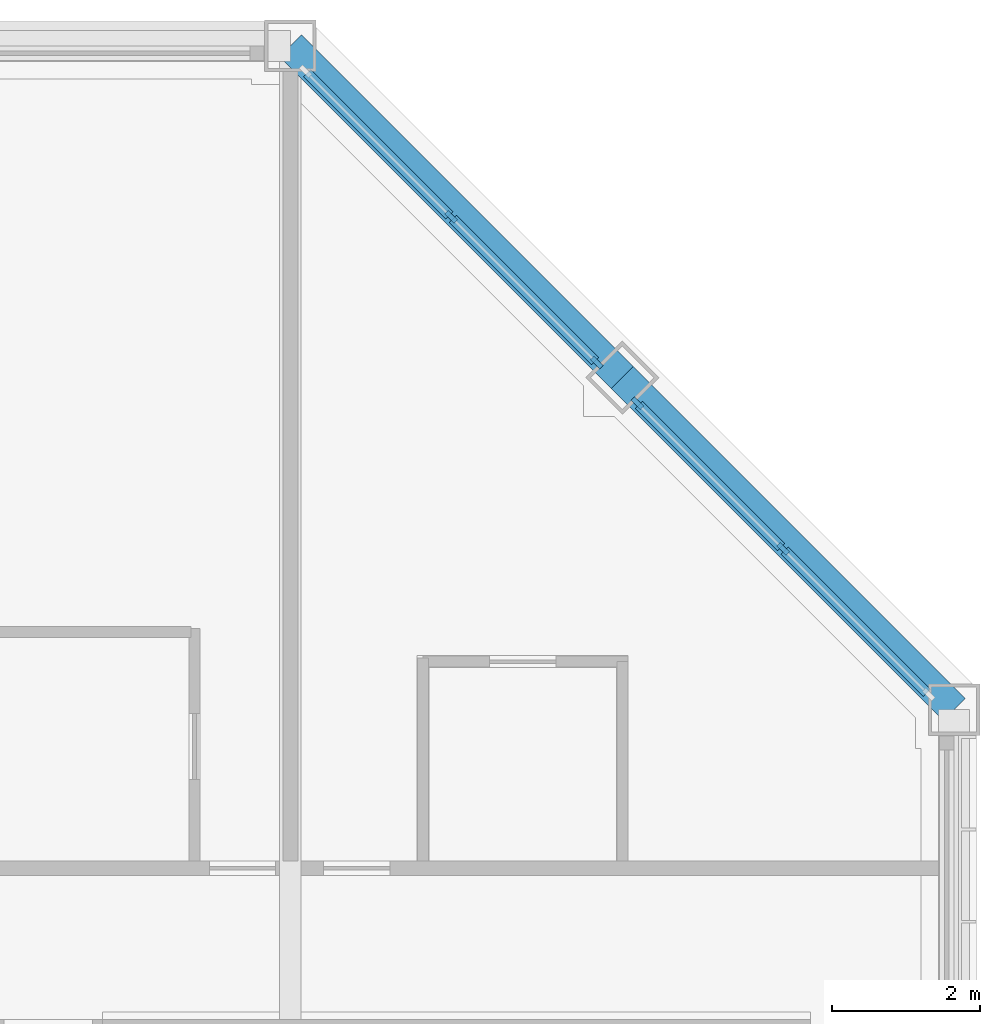
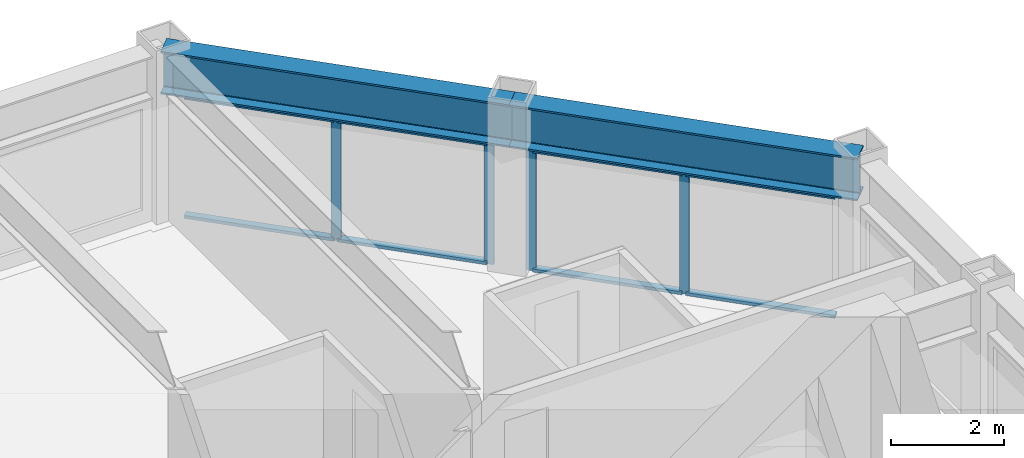
# One storey, part 7 of 16: 12 members, 2 beams, 2 elements without a shape of their own.
"""IFC4 building model written with IfcOpenShell, lengths in metres."""

from ifc_helpers import new_model, si_unit, direction, frame, origin, origin_2d, place, context, subcontext, project, spatial, rectangle, i_section, extrude, material, material_profile, profile_set, type_object, element, aggregate, save


model = new_model("IFC4")

# Units and contexts
model_context = context("Model", 3, precision=1e-05, world=origin(), true_north=direction((0.0, 1.0)))
body_context = subcontext(model_context, "Body", "Model", "MODEL_VIEW")
ifc_project = project(units=[si_unit("LENGTHUNIT", "METRE"), si_unit("AREAUNIT", "SQUARE_METRE"), si_unit("VOLUMEUNIT", "CUBIC_METRE"), si_unit("PLANEANGLEUNIT", "RADIAN"), si_unit("MASSUNIT", "GRAM", prefix="KILO")], contexts=[model_context])

# Site, building, storey
site_placement = place(None, origin())
site = spatial("IfcSite", under=ifc_project, at=site_placement, CompositionType="ELEMENT")
building_placement = place(site_placement, origin())
building = spatial("IfcBuilding", under=site, at=building_placement, Name="Msasa Ring Tower", CompositionType="ELEMENT")
storey_placement = place(building_placement, frame((0.0, 0.0, 219.550048828125)))
storey = spatial("IfcBuildingStorey", under=building, at=storey_placement, Name="L57", CompositionType="ELEMENT", Elevation=219.550048828125)

# Curtain wall, members
ifc_material_1 = material(Name="Aluminium curtain wall with clear glass", Category="aluminium")
curtain_wall_type = type_object("IfcCurtainWallType", Name="CW-C CHAMFER CORNER CURTAIN WALL", PredefinedType="NOTDEFINED", material=ifc_material_1)
curtain_wall_1_placement = place(storey_placement, origin())
curtain_wall_1 = element("IfcCurtainWall", 1, at=curtain_wall_1_placement, inside=storey, type_object=curtain_wall_type, Name="Chamfer corner curtain wall NE L57", PredefinedType="NOTDEFINED")
ifc_material_2 = material(Name="Aluminium mullion", Category="aluminium")
ifc_material_profile_1 = material_profile(ifc_material_2, rectangle(XDim=0.06494140625, YDim=0.179931640625, at=origin_2d()), Name="AL 65x180")
ifc_profile_set_1 = profile_set([ifc_material_profile_1], Name="Aluminium mullion")
member_type_1 = type_object("IfcMemberType", Name="CW-C MULLION 65x180", PredefinedType="MULLION", material=ifc_profile_set_1)
member_1_placement = place(storey_placement, frame((15.4052734375, 15.953369140625, 0.0), z_axis=(0.0, 0.0, 1.0), x_axis=(-0.707106781187, -0.707106781187, 0.0)))
member_1 = element("IfcMember", 2, at=member_1_placement, type_object=member_type_1, Name="CW-C mullion 1", PredefinedType="MULLION", context=body_context, shape_type="SweptSolid", body=[
    extrude(rectangle(XDim=0.06494140625, YDim=0.179931640625, at=origin_2d()), origin(), (0.0, 0.0, 1.0), 2.62890625),
])
member_2_placement = place(storey_placement, frame((13.42919921875, 17.92919921875, 0.0), z_axis=(0.0, 0.0, 1.0), x_axis=(-0.707106781187, -0.707106781187, 0.0)))
member_2 = element("IfcMember", 3, at=member_2_placement, type_object=member_type_1, Name="CW-C mullion 2", PredefinedType="MULLION", context=body_context, shape_type="SweptSolid", body=[
    extrude(rectangle(XDim=0.06494140625, YDim=0.179931640625, at=origin_2d()), origin(), (0.0, 0.0, 1.0), 2.62890625),
])

curtain_wall_2_placement = place(storey_placement, origin())
curtain_wall_2 = element("IfcCurtainWall", 4, at=curtain_wall_2_placement, inside=storey, type_object=curtain_wall_type, Name="Chamfer corner curtain wall NE L57", PredefinedType="NOTDEFINED")
member_3_placement = place(storey_placement, frame((17.92919921875, 13.42919921875, 0.0), z_axis=(0.0, 0.0, 1.0), x_axis=(-0.707106781187, -0.707106781187, 0.0)))
member_3 = element("IfcMember", 5, at=member_3_placement, type_object=member_type_1, Name="CW-C mullion 2", PredefinedType="MULLION", context=body_context, shape_type="SweptSolid", body=[
    extrude(rectangle(XDim=0.06494140625, YDim=0.179931640625, at=origin_2d()), origin(), (0.0, 0.0, 1.0), 2.62890625),
])
member_4_placement = place(storey_placement, frame((15.953369140625, 15.4052734375, 0.0), z_axis=(0.0, 0.0, 1.0), x_axis=(-0.707106781187, -0.707106781187, 0.0)))
member_4 = element("IfcMember", 6, at=member_4_placement, type_object=member_type_1, Name="CW-C mullion 3", PredefinedType="MULLION", context=body_context, shape_type="SweptSolid", body=[
    extrude(rectangle(XDim=0.06494140625, YDim=0.179931640625, at=origin_2d()), origin(), (0.0, 0.0, 1.0), 2.62890625),
])

# Member
ifc_material_3 = material(Name="Aluminium transom", Category="aluminium")
ifc_material_profile_2 = material_profile(ifc_material_3, rectangle(XDim=0.139892578125, YDim=0.06494140625, at=origin_2d()), Name="AL 65x140")
ifc_profile_set_2 = profile_set([ifc_material_profile_2], Name="Aluminium transom")
member_type_2 = type_object("IfcMemberType", Name="CW-C TRANSOM 65x140", PredefinedType="USERDEFINED", material=ifc_profile_set_2)
member_5_placement = place(storey_placement, frame((15.38232421875, 15.976318359375, 0.032470703125), z_axis=(-0.707106781187, 0.707106781187, 0.0), x_axis=(-0.707106781187, -0.707106781187, 0.0)))
member_5 = element("IfcMember", 7, at=member_5_placement, type_object=member_type_2, Name="CW-C transom 1.1", ObjectType="TRANSOM", PredefinedType="USERDEFINED", context=body_context, shape_type="SweptSolid", body=[
    extrude(rectangle(XDim=0.139892578125, YDim=0.06494140625, at=origin_2d()), origin(), (0.0, 0.0, 1.0), 2.729248046875),
])

member_6_placement = place(storey_placement, frame((15.38232421875, 15.976318359375, 2.596435546875), z_axis=(-0.707106781187, 0.707106781187, 0.0), x_axis=(-0.707106781187, -0.707106781187, 0.0)))
member_6 = element("IfcMember", 8, at=member_6_placement, type_object=member_type_2, Name="CW-C transom 1.2", ObjectType="TRANSOM", PredefinedType="USERDEFINED", context=body_context, shape_type="SweptSolid", body=[
    extrude(rectangle(XDim=0.139892578125, YDim=0.06494140625, at=origin_2d()), origin(), (0.0, 0.0, 1.0), 2.729248046875),
])

member_7_placement = place(storey_placement, frame((13.40625, 17.952392578125, 0.032470703125), z_axis=(-0.707106781187, 0.707106781187, 0.0), x_axis=(-0.707106781187, -0.707106781187, 0.0)))
member_7 = element("IfcMember", 9, at=member_7_placement, type_object=member_type_2, Name="CW-C transom 2.1", ObjectType="TRANSOM", PredefinedType="USERDEFINED", context=body_context, shape_type="SweptSolid", body=[
    extrude(rectangle(XDim=0.139892578125, YDim=0.06494140625, at=origin_2d()), origin(), (0.0, 0.0, 1.0), 2.729248046875),
])

member_8_placement = place(storey_placement, frame((13.40625, 17.952392578125, 2.596435546875), z_axis=(-0.707106781187, 0.707106781187, 0.0), x_axis=(-0.707106781187, -0.707106781187, 0.0)))
member_8 = element("IfcMember", 10, at=member_8_placement, type_object=member_type_2, Name="CW-C transom 2.2", ObjectType="TRANSOM", PredefinedType="USERDEFINED", context=body_context, shape_type="SweptSolid", body=[
    extrude(rectangle(XDim=0.139892578125, YDim=0.06494140625, at=origin_2d()), origin(), (0.0, 0.0, 1.0), 2.729248046875),
])

aggregate(curtain_wall_1, [member_1, member_2, member_5, member_6, member_7, member_8])

member_9_placement = place(storey_placement, frame((19.88232421875, 11.476318359375, 0.032470703125), z_axis=(-0.707106781187, 0.707106781187, 0.0), x_axis=(-0.707106781187, -0.707106781187, 0.0)))
member_9 = element("IfcMember", 11, at=member_9_placement, type_object=member_type_2, Name="CW-C transom 1.1", ObjectType="TRANSOM", PredefinedType="USERDEFINED", context=body_context, shape_type="SweptSolid", body=[
    extrude(rectangle(XDim=0.139892578125, YDim=0.06494140625, at=origin_2d()), origin(), (0.0, 0.0, 1.0), 2.729248046875),
])

member_10_placement = place(storey_placement, frame((19.88232421875, 11.476318359375, 2.596435546875), z_axis=(-0.707106781187, 0.707106781187, 0.0), x_axis=(-0.707106781187, -0.707106781187, 0.0)))
member_10 = element("IfcMember", 12, at=member_10_placement, type_object=member_type_2, Name="CW-C transom 1.2", ObjectType="TRANSOM", PredefinedType="USERDEFINED", context=body_context, shape_type="SweptSolid", body=[
    extrude(rectangle(XDim=0.139892578125, YDim=0.06494140625, at=origin_2d()), origin(), (0.0, 0.0, 1.0), 2.729248046875),
])

member_11_placement = place(storey_placement, frame((17.90625, 13.452392578125, 0.032470703125), z_axis=(-0.707106781187, 0.707106781187, 0.0), x_axis=(-0.707106781187, -0.707106781187, 0.0)))
member_11 = element("IfcMember", 13, at=member_11_placement, type_object=member_type_2, Name="CW-C transom 2.1", ObjectType="TRANSOM", PredefinedType="USERDEFINED", context=body_context, shape_type="SweptSolid", body=[
    extrude(rectangle(XDim=0.139892578125, YDim=0.06494140625, at=origin_2d()), origin(), (0.0, 0.0, 1.0), 2.729248046875),
])

member_12_placement = place(storey_placement, frame((17.90625, 13.452392578125, 2.596435546875), z_axis=(-0.707106781187, 0.707106781187, 0.0), x_axis=(-0.707106781187, -0.707106781187, 0.0)))
member_12 = element("IfcMember", 14, at=member_12_placement, type_object=member_type_2, Name="CW-C transom 2.2", ObjectType="TRANSOM", PredefinedType="USERDEFINED", context=body_context, shape_type="SweptSolid", body=[
    extrude(rectangle(XDim=0.139892578125, YDim=0.06494140625, at=origin_2d()), origin(), (0.0, 0.0, 1.0), 2.729248046875),
])

aggregate(curtain_wall_2, [member_3, member_4, member_9, member_10, member_11, member_12])

# Beams
ifc_material_4 = material(Name="Steel S355", Category="steel")
ifc_material_profile_3 = material_profile(ifc_material_4, i_section(OverallWidth=0.42041015625, OverallDepth=0.9208984375, WebThickness=0.021484375, FlangeThickness=0.03662109375, FilletRadius=0.024169921875, at=origin_2d()), Name="UB 914x419x388")
ifc_profile_set_3 = profile_set([ifc_material_profile_3], Name="Steel S355")
beam_type = type_object("IfcBeamType", Name="SB1 UB 914x419x388", PredefinedType="SPANDREL", material=ifc_profile_set_3)
for number, where, z_axis, x_axis, name in (
    (15, (20.25, 11.25, 3.08935546875), (-0.707106781187, 0.707106781187, 0.0), (-0.707106781187, -0.707106781187, 0.0), "Spandrel E+11.25 to NE under L58"),
    (16, (15.75, 15.75, 3.08935546875), (-0.707106781187, 0.707106781187, 0.0), (-0.707106781187, -0.707106781187, 0.0), "Spandrel NE to N+11.25 under L58"),
):
    element("IfcBeam", number, at=place(storey_placement, frame(where, z_axis=z_axis, x_axis=x_axis)), inside=storey, type_object=beam_type, Name=name, PredefinedType="SPANDREL", context=body_context, shape_type="SweptSolid", body=[
        extrude(i_section(OverallWidth=0.42041015625, OverallDepth=0.9208984375, WebThickness=0.021484375, FlangeThickness=0.03662109375, FilletRadius=0.024169921875, at=origin_2d()), origin(), (0.0, 0.0, 1.0), 6.364013671875),
    ])

save(model, "model.ifc")
